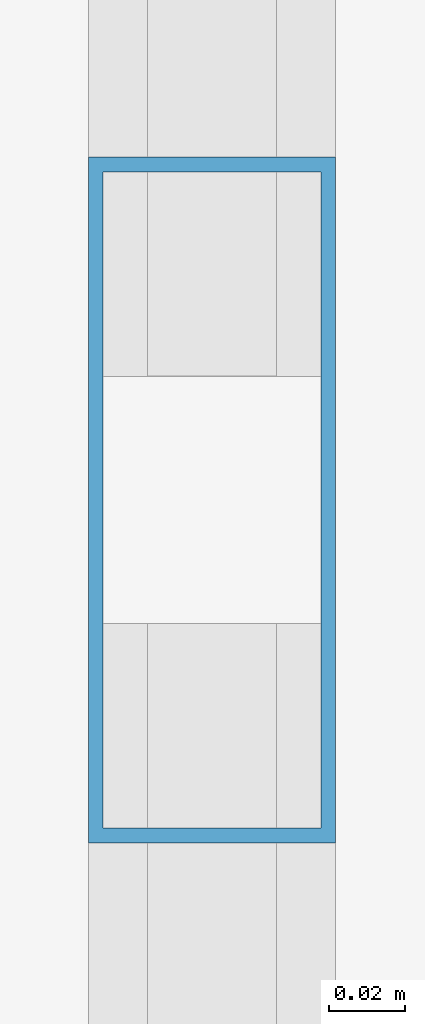
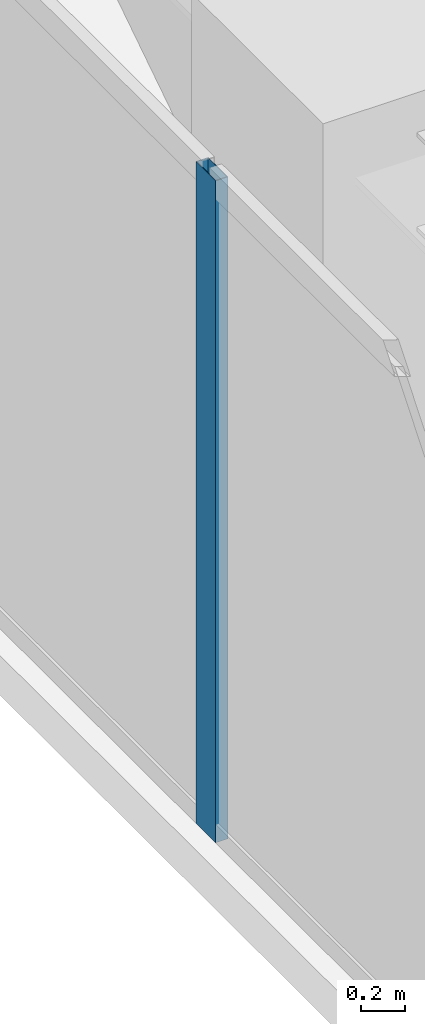
# One storey, part 13 of 30: 1 member, 1 element without a shape of its own.
"""IFC4 building model written with IfcOpenShell, lengths in metres."""

import ifcopenshell
import ifcopenshell.guid

model = None  # the IFC model being written
_history = None  # IfcOwnerHistory: only IFC2X3 demands one
_inside = {}  # id of a spatial element -> (the spatial element, [elements in it])
_under = {}  # id of a project, library or spatial element -> (it, [spatial elements below it])
_declared = {}  # id of a project -> (the project, [libraries it declares])
_typed = {}  # id of a type object -> (the type object, [elements of that type])
_made_of = {}  # id of a material, layer set ... -> (it, [elements and type objects made of it])


def new_model(schema):
    """Start an empty IFC model of exactly this schema.

    Asked for "IFC4X3", IfcOpenShell would pick the latest addendum, in which some entities
    have other attributes; the version numbers below select the first issue.
    IFC2X3 requires an IfcOwnerHistory on every rooted entity: one is made here for all.
    """
    global model, _history
    if schema == "IFC4X3":
        model = ifcopenshell.file(schema_version=(4, 3, 0, 0))
    else:
        model = ifcopenshell.file(schema=schema)
    _inside.clear()
    _under.clear()
    _declared.clear()
    _typed.clear()
    _made_of.clear()
    _history = None
    if model.schema == "IFC2X3":
        org = make("IfcOrganization", Name="unknown")
        user = make(
            "IfcPersonAndOrganization",
            ThePerson=make("IfcPerson", FamilyName="unknown"),
            TheOrganization=org,
        )
        app = make(
            "IfcApplication",
            ApplicationDeveloper=org,
            Version="unknown",
            ApplicationFullName="unknown",
            ApplicationIdentifier="unknown",
        )
        _history = make(
            "IfcOwnerHistory",
            OwningUser=user,
            OwningApplication=app,
            ChangeAction="ADDED",
            CreationDate=0,
        )
    return model


def make(cls, **values):
    """One entity of the class cls with the attributes given. An attribute that is None is left unset."""
    return model.create_entity(
        cls, **{name: value for name, value in values.items() if value is not None}
    )


def rooted(cls, **values):
    """An entity with a GlobalId (a new one), such as an element, a storey or a relation."""
    return make(cls, GlobalId=ifcopenshell.guid.new(), OwnerHistory=_history, **values)


def si_unit(unit_type, name, prefix=None):
    """IfcSIUnit, for example si_unit("LENGTHUNIT", "METRE", prefix="MILLI")."""
    return make("IfcSIUnit", UnitType=unit_type, Prefix=prefix, Name=name)


def assignment(units):
    """IfcUnitAssignment: the units of a project."""
    return None if units is None else make("IfcUnitAssignment", Units=units)


def point(xyz):
    """IfcCartesianPoint."""
    return None if xyz is None else make("IfcCartesianPoint", Coordinates=xyz)


def direction(xyz):
    """IfcDirection."""
    return None if xyz is None else make("IfcDirection", DirectionRatios=xyz)


def frame(location, z_axis=None, x_axis=None):
    """IfcAxis2Placement3D, a coordinate frame: its origin and axes. An axis left out is left unset."""
    return make(
        "IfcAxis2Placement3D",
        Location=point(location),
        Axis=direction(z_axis),
        RefDirection=direction(x_axis),
    )


def frame_2d(location, x_axis=None):
    """IfcAxis2Placement2D, a coordinate frame in the plane: its origin and x axis."""
    return make(
        "IfcAxis2Placement2D", Location=point(location), RefDirection=direction(x_axis)
    )


def origin():
    """The frame at (0, 0, 0) with its axes left unset."""
    return frame((0.0, 0.0, 0.0))


def origin_2d():
    """The frame at (0, 0) in the plane with its x axis left unset."""
    return frame_2d((0.0, 0.0))


def place(relative_to, where):
    """IfcLocalPlacement: puts the frame where relative to a parent placement (None: the world)."""
    return make(
        "IfcLocalPlacement", PlacementRelTo=relative_to, RelativePlacement=where
    )


def context(
    kind, dimensions, precision=None, world=None, true_north=None, identifier=None
):
    """IfcGeometricRepresentationContext, for example the 3D "Model" context."""
    return make(
        "IfcGeometricRepresentationContext",
        ContextIdentifier=identifier,
        ContextType=kind,
        CoordinateSpaceDimension=dimensions,
        Precision=precision,
        WorldCoordinateSystem=world,
        TrueNorth=true_north,
    )


def subcontext(parent, identifier, kind, view, scale=None):
    """IfcGeometricRepresentationSubContext, for example "Body" below "Model"."""
    return make(
        "IfcGeometricRepresentationSubContext",
        ContextIdentifier=identifier,
        ContextType=kind,
        ParentContext=parent,
        TargetScale=scale,
        TargetView=view,
    )


def project(units=None, contexts=None):
    """IfcProject with its units and contexts."""
    return rooted(
        "IfcProject",
        Name="project",
        RepresentationContexts=contexts,
        UnitsInContext=assignment(units),
    )


def spatial(cls, under=None, at=None, **own):
    """A site, building, storey or space (cls), placed at a placement, below another one or the project."""
    s = rooted(cls, ObjectPlacement=at, **own)
    if under is not None:
        _under.setdefault(under.id(), (under, []))[1].append(s)
    return s


def profile(cls, at=None, kind="AREA", **sizes):
    """A parametric profile (cls). Its sizes go by their IFC names, for example OverallWidth=200.0."""
    return make(cls, ProfileType=kind, Position=at, **sizes)


def hollow_rectangle(**sizes):
    """IfcRectangleHollowProfileDef."""
    return profile("IfcRectangleHollowProfileDef", **sizes)


def extrude(swept, where, along, depth):
    """IfcExtrudedAreaSolid: the profile swept, set in the frame where, extruded along a direction by depth."""
    return make(
        "IfcExtrudedAreaSolid",
        SweptArea=swept,
        Position=where,
        ExtrudedDirection=direction(along),
        Depth=depth,
    )


def shape(context_of_items, identifier, shape_type, items):
    """IfcShapeRepresentation: the items that make up one representation, for example the "Body"."""
    return make(
        "IfcShapeRepresentation",
        ContextOfItems=context_of_items,
        RepresentationIdentifier=identifier,
        RepresentationType=shape_type,
        Items=items,
    )


def material(Name=None, Category=None):
    """IfcMaterial."""
    return make("IfcMaterial", Name=Name, Category=Category)


def layer(
    of_material, thickness, ventilated=None, Name=None, Category=None, Priority=None
):
    """IfcMaterialLayer: one layer of a wall or slab, of a material (None: an air gap)."""
    return make(
        "IfcMaterialLayer",
        Material=of_material,
        LayerThickness=thickness,
        IsVentilated=ventilated,
        Name=Name,
        Category=Category,
        Priority=Priority,
    )


def layer_set(layers, Name=None):
    """IfcMaterialLayerSet."""
    return make("IfcMaterialLayerSet", MaterialLayers=layers, LayerSetName=Name)


def material_profile(
    of_material, cross_section, Name=None, Category=None, Priority=None
):
    """IfcMaterialProfile: a cross section and its material."""
    return make(
        "IfcMaterialProfile",
        Name=Name,
        Material=of_material,
        Profile=cross_section,
        Priority=Priority,
        Category=Category,
    )


def profile_set(profiles, Name=None, composite=None):
    """IfcMaterialProfileSet."""
    return make(
        "IfcMaterialProfileSet",
        Name=Name,
        MaterialProfiles=profiles,
        CompositeProfile=composite,
    )


def made_of(thing, what):
    """Note that an element or type object is made of a material, layer set ...; save() writes the relation."""
    if what is not None:
        _made_of.setdefault(what.id(), (what, []))[1].append(thing)
    return thing


def type_object(cls, material=None, **own):
    """A type object (cls), such as IfcWallType, which elements share."""
    return made_of(rooted(cls, **own), material)


def element(
    cls,
    number,
    at=None,
    inside=None,
    cuts=None,
    type_object=None,
    material=None,
    context=None,
    identifier="Body",
    shape_type=None,
    held_by="IfcProductDefinitionShape",
    body=None,
    shapes=None,
    **own,
):
    """One element of the class cls, such as IfcWall. Its Tag is "e" and its number.

    at: its placement. inside: the storey or other place that contains it. cuts: it is an
    opening in that element (IfcRelVoidsElement). A single representation is given by context,
    identifier, shape_type and body (its items); several are given by shapes. held_by: the class
    of the entity that holds the representations. save() writes the other relations.
    """
    e = rooted(cls, Tag="e%d" % number, ObjectPlacement=at, **own)
    if body is not None:
        shapes = [shape(context, identifier, shape_type, body)]
    if shapes is not None:
        e.Representation = make(held_by, Representations=shapes)
    if inside is not None:
        _inside.setdefault(inside.id(), (inside, []))[1].append(e)
    if cuts is not None:
        rooted(
            "IfcRelVoidsElement", RelatingBuildingElement=cuts, RelatedOpeningElement=e
        )
    if type_object is not None:
        _typed.setdefault(type_object.id(), (type_object, []))[1].append(e)
    return made_of(e, material)


def aggregate(whole, parts):
    """IfcRelAggregates: a whole, such as a stair, and the parts it consists of."""
    return rooted("IfcRelAggregates", RelatingObject=whole, RelatedObjects=parts)


def save(model, path):
    """Write the relations noted so far, then the file.

    IfcRelAggregates (storeys below a building ...), IfcRelContainedInSpatialStructure (elements
    in a storey), IfcRelDefinesByType, IfcRelAssociatesMaterial and IfcRelDeclares: one each for
    every whole, place, type object, material and project.
    """
    for whole, parts in _under.values():
        aggregate(whole, parts)
    for where, things in _inside.values():
        rooted(
            "IfcRelContainedInSpatialStructure",
            RelatedElements=things,
            RelatingStructure=where,
        )
    for kind, things in _typed.values():
        rooted("IfcRelDefinesByType", RelatedObjects=things, RelatingType=kind)
    for what, things in _made_of.values():
        rooted("IfcRelAssociatesMaterial", RelatedObjects=things, RelatingMaterial=what)
    for by, libraries in _declared.values():
        rooted("IfcRelDeclares", RelatingContext=by, RelatedDefinitions=libraries)
    model.write(path)


model = new_model("IFC4")

# Units and contexts
model_context = context("Model", 3, precision=1e-05, world=origin(), true_north=direction((0.0, 1.0)))
body_context = subcontext(model_context, "Body", "Model", "MODEL_VIEW")
ifc_project = project(units=[si_unit("LENGTHUNIT", "METRE"), si_unit("AREAUNIT", "SQUARE_METRE"), si_unit("VOLUMEUNIT", "CUBIC_METRE"), si_unit("PLANEANGLEUNIT", "RADIAN"), si_unit("MASSUNIT", "GRAM", prefix="KILO")], contexts=[model_context])

# Site, building, storey
site_placement = place(None, origin())
site = spatial("IfcSite", under=ifc_project, at=site_placement, CompositionType="ELEMENT")
building_placement = place(site_placement, origin())
building = spatial("IfcBuilding", under=site, at=building_placement, Name="Kiyonajd Concourse Tower", CompositionType="ELEMENT")
storey_placement = place(building_placement, frame((0.0, 0.0, 174.0)))
storey = spatial("IfcBuildingStorey", under=building, at=storey_placement, Name="L44", CompositionType="ELEMENT", Elevation=174.0)

# Curtain wall, member
ifc_material = material(Name="Thermally Broken Anodised Aluminium", Category="aluminium")
ifc_layer = layer(ifc_material, 0.179931640625)
ifc_layer_set = layer_set([ifc_layer], Name="Thermally Broken Anodised Aluminium")
curtain_wall_type = type_object("IfcCurtainWallType", Name="CW-SYS-03", PredefinedType="NOTDEFINED", material=ifc_layer_set)
curtain_wall_placement = place(storey_placement, origin())
curtain_wall = element("IfcCurtainWall", 1, at=curtain_wall_placement, inside=storey, type_object=curtain_wall_type, Name="L44 Unitised Curtain Wall CW3", PredefinedType="NOTDEFINED")
ifc_material_profile = material_profile(ifc_material, hollow_rectangle(XDim=0.06494140625, YDim=0.179931640625, WallThickness=0.00390625, at=origin_2d()), Name="MULL-65x180")
ifc_profile_set = profile_set([ifc_material_profile], Name="Thermally Broken Anodised Aluminium")
member_type = type_object("IfcMemberType", Name="MB-CW-MULL1", PredefinedType="MULLION", material=ifc_profile_set)
member_placement = place(storey_placement, frame((18.139892578125, 53.0146484375, 0.0), z_axis=(0.0, 0.0, 1.0), x_axis=(-1.0, 0.0, 0.0)))
member = element("IfcMember", 2, at=member_placement, type_object=member_type, Name="CW3 mullion 6", PredefinedType="MULLION", context=body_context, shape_type="SweptSolid", body=[
    extrude(hollow_rectangle(XDim=0.06494140625, YDim=0.179931640625, WallThickness=0.00390625, at=origin_2d()), origin(), (0.0, 0.0, 1.0), 3.679931640625),
])
aggregate(curtain_wall, [member])

save(model, "model.ifc")
